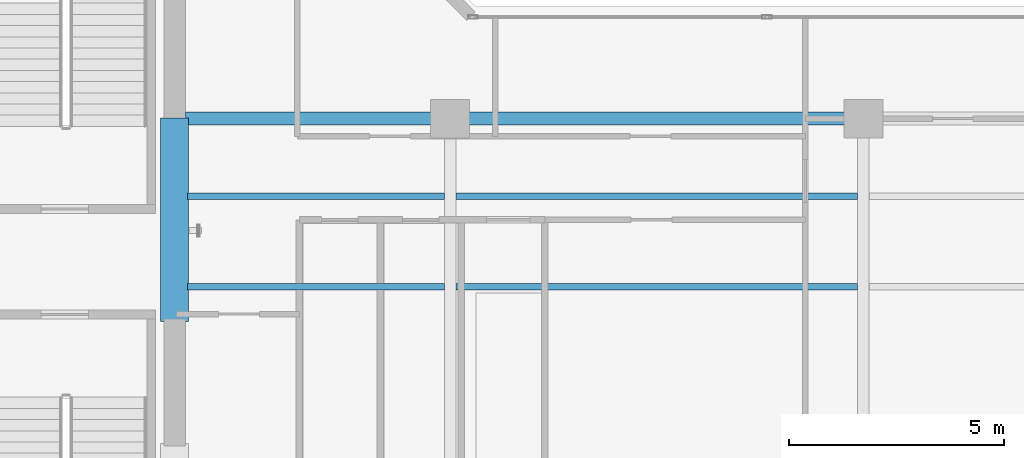
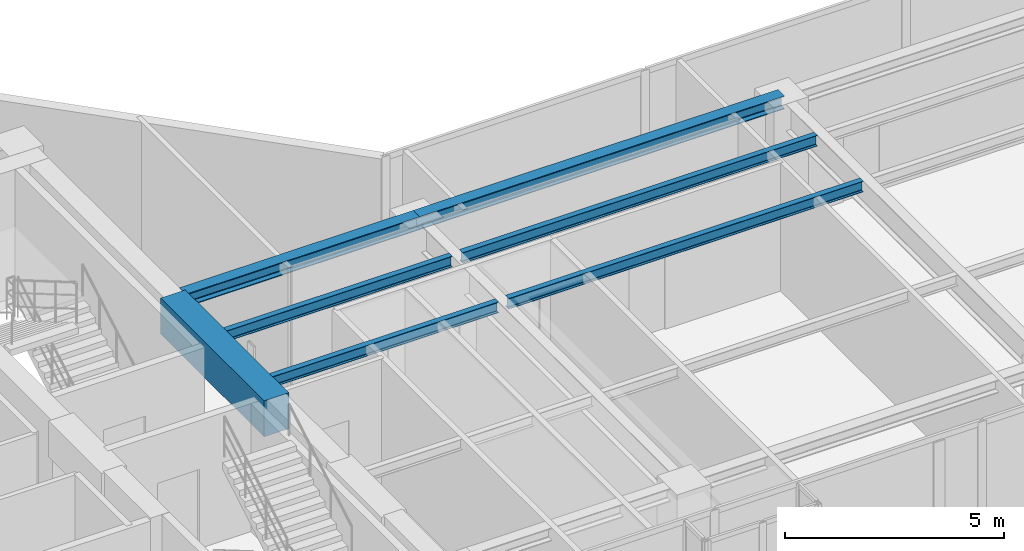
# One storey, part 6 of 22: 7 beams.
"""IFC4 building model written with IfcOpenShell, lengths in metres."""

import ifcopenshell
import ifcopenshell.guid

model = None  # the IFC model being written
_history = None  # IfcOwnerHistory: only IFC2X3 demands one
_inside = {}  # id of a spatial element -> (the spatial element, [elements in it])
_under = {}  # id of a project, library or spatial element -> (it, [spatial elements below it])
_declared = {}  # id of a project -> (the project, [libraries it declares])
_typed = {}  # id of a type object -> (the type object, [elements of that type])
_made_of = {}  # id of a material, layer set ... -> (it, [elements and type objects made of it])


def new_model(schema):
    """Start an empty IFC model of exactly this schema.

    Asked for "IFC4X3", IfcOpenShell would pick the latest addendum, in which some entities
    have other attributes; the version numbers below select the first issue.
    IFC2X3 requires an IfcOwnerHistory on every rooted entity: one is made here for all.
    """
    global model, _history
    if schema == "IFC4X3":
        model = ifcopenshell.file(schema_version=(4, 3, 0, 0))
    else:
        model = ifcopenshell.file(schema=schema)
    _inside.clear()
    _under.clear()
    _declared.clear()
    _typed.clear()
    _made_of.clear()
    _history = None
    if model.schema == "IFC2X3":
        org = make("IfcOrganization", Name="unknown")
        user = make(
            "IfcPersonAndOrganization",
            ThePerson=make("IfcPerson", FamilyName="unknown"),
            TheOrganization=org,
        )
        app = make(
            "IfcApplication",
            ApplicationDeveloper=org,
            Version="unknown",
            ApplicationFullName="unknown",
            ApplicationIdentifier="unknown",
        )
        _history = make(
            "IfcOwnerHistory",
            OwningUser=user,
            OwningApplication=app,
            ChangeAction="ADDED",
            CreationDate=0,
        )
    return model


def make(cls, **values):
    """One entity of the class cls with the attributes given. An attribute that is None is left unset."""
    return model.create_entity(
        cls, **{name: value for name, value in values.items() if value is not None}
    )


def rooted(cls, **values):
    """An entity with a GlobalId (a new one), such as an element, a storey or a relation."""
    return make(cls, GlobalId=ifcopenshell.guid.new(), OwnerHistory=_history, **values)


def si_unit(unit_type, name, prefix=None):
    """IfcSIUnit, for example si_unit("LENGTHUNIT", "METRE", prefix="MILLI")."""
    return make("IfcSIUnit", UnitType=unit_type, Prefix=prefix, Name=name)


def assignment(units):
    """IfcUnitAssignment: the units of a project."""
    return None if units is None else make("IfcUnitAssignment", Units=units)


def point(xyz):
    """IfcCartesianPoint."""
    return None if xyz is None else make("IfcCartesianPoint", Coordinates=xyz)


def direction(xyz):
    """IfcDirection."""
    return None if xyz is None else make("IfcDirection", DirectionRatios=xyz)


def frame(location, z_axis=None, x_axis=None):
    """IfcAxis2Placement3D, a coordinate frame: its origin and axes. An axis left out is left unset."""
    return make(
        "IfcAxis2Placement3D",
        Location=point(location),
        Axis=direction(z_axis),
        RefDirection=direction(x_axis),
    )


def frame_2d(location, x_axis=None):
    """IfcAxis2Placement2D, a coordinate frame in the plane: its origin and x axis."""
    return make(
        "IfcAxis2Placement2D", Location=point(location), RefDirection=direction(x_axis)
    )


def origin():
    """The frame at (0, 0, 0) with its axes left unset."""
    return frame((0.0, 0.0, 0.0))


def origin_2d():
    """The frame at (0, 0) in the plane with its x axis left unset."""
    return frame_2d((0.0, 0.0))


def place(relative_to, where):
    """IfcLocalPlacement: puts the frame where relative to a parent placement (None: the world)."""
    return make(
        "IfcLocalPlacement", PlacementRelTo=relative_to, RelativePlacement=where
    )


def context(
    kind, dimensions, precision=None, world=None, true_north=None, identifier=None
):
    """IfcGeometricRepresentationContext, for example the 3D "Model" context."""
    return make(
        "IfcGeometricRepresentationContext",
        ContextIdentifier=identifier,
        ContextType=kind,
        CoordinateSpaceDimension=dimensions,
        Precision=precision,
        WorldCoordinateSystem=world,
        TrueNorth=true_north,
    )


def subcontext(parent, identifier, kind, view, scale=None):
    """IfcGeometricRepresentationSubContext, for example "Body" below "Model"."""
    return make(
        "IfcGeometricRepresentationSubContext",
        ContextIdentifier=identifier,
        ContextType=kind,
        ParentContext=parent,
        TargetScale=scale,
        TargetView=view,
    )


def project(units=None, contexts=None):
    """IfcProject with its units and contexts."""
    return rooted(
        "IfcProject",
        Name="project",
        RepresentationContexts=contexts,
        UnitsInContext=assignment(units),
    )


def spatial(cls, under=None, at=None, **own):
    """A site, building, storey or space (cls), placed at a placement, below another one or the project."""
    s = rooted(cls, ObjectPlacement=at, **own)
    if under is not None:
        _under.setdefault(under.id(), (under, []))[1].append(s)
    return s


def profile(cls, at=None, kind="AREA", **sizes):
    """A parametric profile (cls). Its sizes go by their IFC names, for example OverallWidth=200.0."""
    return make(cls, ProfileType=kind, Position=at, **sizes)


def rectangle(**sizes):
    """IfcRectangleProfileDef."""
    return profile("IfcRectangleProfileDef", **sizes)


def i_section(**sizes):
    """IfcIShapeProfileDef."""
    return profile("IfcIShapeProfileDef", **sizes)


def extrude(swept, where, along, depth):
    """IfcExtrudedAreaSolid: the profile swept, set in the frame where, extruded along a direction by depth."""
    return make(
        "IfcExtrudedAreaSolid",
        SweptArea=swept,
        Position=where,
        ExtrudedDirection=direction(along),
        Depth=depth,
    )


def shape(context_of_items, identifier, shape_type, items):
    """IfcShapeRepresentation: the items that make up one representation, for example the "Body"."""
    return make(
        "IfcShapeRepresentation",
        ContextOfItems=context_of_items,
        RepresentationIdentifier=identifier,
        RepresentationType=shape_type,
        Items=items,
    )


def material(Name=None, Category=None):
    """IfcMaterial."""
    return make("IfcMaterial", Name=Name, Category=Category)


def material_profile(
    of_material, cross_section, Name=None, Category=None, Priority=None
):
    """IfcMaterialProfile: a cross section and its material."""
    return make(
        "IfcMaterialProfile",
        Name=Name,
        Material=of_material,
        Profile=cross_section,
        Priority=Priority,
        Category=Category,
    )


def profile_set(profiles, Name=None, composite=None):
    """IfcMaterialProfileSet."""
    return make(
        "IfcMaterialProfileSet",
        Name=Name,
        MaterialProfiles=profiles,
        CompositeProfile=composite,
    )


def made_of(thing, what):
    """Note that an element or type object is made of a material, layer set ...; save() writes the relation."""
    if what is not None:
        _made_of.setdefault(what.id(), (what, []))[1].append(thing)
    return thing


def type_object(cls, material=None, **own):
    """A type object (cls), such as IfcWallType, which elements share."""
    return made_of(rooted(cls, **own), material)


def element(
    cls,
    number,
    at=None,
    inside=None,
    cuts=None,
    type_object=None,
    material=None,
    context=None,
    identifier="Body",
    shape_type=None,
    held_by="IfcProductDefinitionShape",
    body=None,
    shapes=None,
    **own,
):
    """One element of the class cls, such as IfcWall. Its Tag is "e" and its number.

    at: its placement. inside: the storey or other place that contains it. cuts: it is an
    opening in that element (IfcRelVoidsElement). A single representation is given by context,
    identifier, shape_type and body (its items); several are given by shapes. held_by: the class
    of the entity that holds the representations. save() writes the other relations.
    """
    e = rooted(cls, Tag="e%d" % number, ObjectPlacement=at, **own)
    if body is not None:
        shapes = [shape(context, identifier, shape_type, body)]
    if shapes is not None:
        e.Representation = make(held_by, Representations=shapes)
    if inside is not None:
        _inside.setdefault(inside.id(), (inside, []))[1].append(e)
    if cuts is not None:
        rooted(
            "IfcRelVoidsElement", RelatingBuildingElement=cuts, RelatedOpeningElement=e
        )
    if type_object is not None:
        _typed.setdefault(type_object.id(), (type_object, []))[1].append(e)
    return made_of(e, material)


def aggregate(whole, parts):
    """IfcRelAggregates: a whole, such as a stair, and the parts it consists of."""
    return rooted("IfcRelAggregates", RelatingObject=whole, RelatedObjects=parts)


def save(model, path):
    """Write the relations noted so far, then the file.

    IfcRelAggregates (storeys below a building ...), IfcRelContainedInSpatialStructure (elements
    in a storey), IfcRelDefinesByType, IfcRelAssociatesMaterial and IfcRelDeclares: one each for
    every whole, place, type object, material and project.
    """
    for whole, parts in _under.values():
        aggregate(whole, parts)
    for where, things in _inside.values():
        rooted(
            "IfcRelContainedInSpatialStructure",
            RelatedElements=things,
            RelatingStructure=where,
        )
    for kind, things in _typed.values():
        rooted("IfcRelDefinesByType", RelatedObjects=things, RelatingType=kind)
    for what, things in _made_of.values():
        rooted("IfcRelAssociatesMaterial", RelatedObjects=things, RelatingMaterial=what)
    for by, libraries in _declared.values():
        rooted("IfcRelDeclares", RelatingContext=by, RelatedDefinitions=libraries)
    model.write(path)


model = new_model("IFC4")

# Units and contexts
model_context = context("Model", 3, precision=1e-05, world=origin(), true_north=direction((0.0, 1.0)))
body_context = subcontext(model_context, "Body", "Model", "MODEL_VIEW")
ifc_project = project(units=[si_unit("LENGTHUNIT", "METRE"), si_unit("AREAUNIT", "SQUARE_METRE"), si_unit("VOLUMEUNIT", "CUBIC_METRE"), si_unit("PLANEANGLEUNIT", "RADIAN"), si_unit("MASSUNIT", "GRAM", prefix="KILO")], contexts=[model_context])

# Site, building, storey
site_placement = place(None, origin())
site = spatial("IfcSite", under=ifc_project, at=site_placement, CompositionType="ELEMENT")
building_placement = place(site_placement, origin())
building = spatial("IfcBuilding", under=site, at=building_placement, Name="Kolvaren Waterfront Exchange", CompositionType="ELEMENT")
storey_placement = place(building_placement, frame((0.0, 0.0, 262.800048828125)))
storey = spatial("IfcBuildingStorey", under=building, at=storey_placement, Name="L67", CompositionType="ELEMENT", Elevation=262.800048828125)

# Beams
ifc_material_1 = material(Name="Steel S355", Category="steel")
ifc_material_profile_1 = material_profile(ifc_material_1, i_section(OverallWidth=0.300048828125, OverallDepth=0.360107421875, WebThickness=0.012451171875, FlangeThickness=0.0224609375, FilletRadius=0.027099609375, at=origin_2d()), Name="HEB360")
ifc_profile_set_1 = profile_set([ifc_material_profile_1], Name="Steel S355")
beam_type_1 = type_object("IfcBeamType", Name="STR-BM-HEB360", PredefinedType="SPANDREL", material=ifc_profile_set_1)
beam_1_placement = place(storey_placement, frame((21.050048828125, 17.39990234375, 3.3798828125), z_axis=(1.0, 0.0, 0.0), x_axis=(0.0, 1.0, 0.0)))
element("IfcBeam", 1, at=beam_1_placement, inside=storey, type_object=beam_type_1, Name="L67 east-arm spandrel N1", PredefinedType="SPANDREL", context=body_context, shape_type="SweptSolid", body=[
    extrude(i_section(OverallWidth=0.300048828125, OverallDepth=0.360107421875, WebThickness=0.012451171875, FlangeThickness=0.0224609375, FilletRadius=0.027099609375, at=origin_2d()), origin(), (0.0, 0.0, 1.0), 6.14990234375),
])
beam_2_placement = place(storey_placement, frame((27.199951171875, 17.39990234375, 3.3798828125), z_axis=(1.0, 0.0, 0.0), x_axis=(0.0, 1.0, 0.0)))
element("IfcBeam", 2, at=beam_2_placement, inside=storey, type_object=beam_type_1, Name="L67 east-arm spandrel N2", PredefinedType="SPANDREL", context=body_context, shape_type="SweptSolid", body=[
    extrude(i_section(OverallWidth=0.300048828125, OverallDepth=0.360107421875, WebThickness=0.012451171875, FlangeThickness=0.0224609375, FilletRadius=0.027099609375, at=origin_2d()), origin(), (0.0, 0.0, 1.0), 9.60009765625),
])
ifc_material_profile_2 = material_profile(ifc_material_1, i_section(OverallWidth=0.14990234375, OverallDepth=0.300048828125, WebThickness=0.007080078125, FlangeThickness=0.0107421875, FilletRadius=0.014892578125, at=origin_2d()), Name="IPE300")
ifc_profile_set_2 = profile_set([ifc_material_profile_2], Name="Steel S355")
beam_type_2 = type_object("IfcBeamType", Name="STR-BM-IPE300", PredefinedType="JOIST", material=ifc_profile_set_2)
for number, where, z_axis, x_axis, name in (
    (3, (21.10009765625, 13.5, 3.409912109375), (1.0, 0.0, 0.0), (0.0, 1.0, 0.0), "L67 east-arm composite joist 1A"),
    (4, (21.10009765625, 15.60009765625, 3.409912109375), (1.0, 0.0, 0.0), (0.0, 1.0, 0.0), "L67 east-arm composite joist 1C"),
):
    element("IfcBeam", number, at=place(storey_placement, frame(where, z_axis=z_axis, x_axis=x_axis)), inside=storey, type_object=beam_type_2, Name=name, PredefinedType="JOIST", context=body_context, shape_type="SweptSolid", body=[
        extrude(i_section(OverallWidth=0.14990234375, OverallDepth=0.300048828125, WebThickness=0.007080078125, FlangeThickness=0.0107421875, FilletRadius=0.014892578125, at=origin_2d()), origin(), (0.0, 0.0, 1.0), 5.96435546875),
    ])
for number, where, z_axis, x_axis, name in (
    (5, (27.33544921875, 13.5, 3.409912109375), (1.0, 0.0, 0.0), (0.0, 1.0, 0.0), "L67 east-arm composite joist 2A"),
    (6, (27.33544921875, 15.60009765625, 3.409912109375), (1.0, 0.0, 0.0), (0.0, 1.0, 0.0), "L67 east-arm composite joist 2C"),
):
    element("IfcBeam", number, at=place(storey_placement, frame(where, z_axis=z_axis, x_axis=x_axis)), inside=storey, type_object=beam_type_2, Name=name, PredefinedType="JOIST", context=body_context, shape_type="SweptSolid", body=[
        extrude(i_section(OverallWidth=0.14990234375, OverallDepth=0.300048828125, WebThickness=0.007080078125, FlangeThickness=0.0107421875, FilletRadius=0.014892578125, at=origin_2d()), origin(), (0.0, 0.0, 1.0), 9.3291015625),
    ])
ifc_material_2 = material(Name="Concrete C60/75", Category="concrete")
ifc_material_profile_3 = material_profile(ifc_material_2, rectangle(XDim=0.64990234375, YDim=1.0, at=origin_2d()), Name="RC-CB-1000x650")
ifc_profile_set_3 = profile_set([ifc_material_profile_3], Name="Concrete C60/75")
beam_type_3 = type_object("IfcBeamType", Name="STR-CB-1000", PredefinedType="SPANDREL", material=ifc_profile_set_3)
beam_3_placement = place(storey_placement, frame((20.800048828125, 12.68994140625, 3.06005859375), z_axis=(0.0, 1.0, 0.0), x_axis=(-1.0, 0.0, 0.0)))
element("IfcBeam", 7, at=beam_3_placement, inside=storey, type_object=beam_type_3, Name="L67 core coupling beam 2", PredefinedType="SPANDREL", context=body_context, shape_type="SweptSolid", body=[
    extrude(rectangle(XDim=0.64990234375, YDim=1.0, at=origin_2d()), origin(), (0.0, 0.0, 1.0), 4.719970703125),
])

save(model, "model.ifc")
